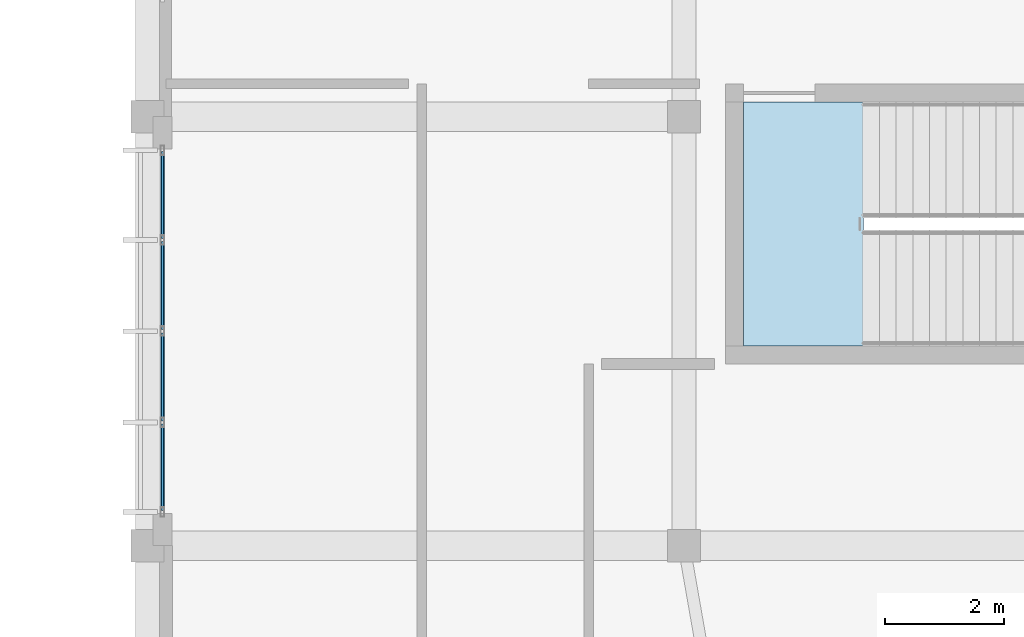
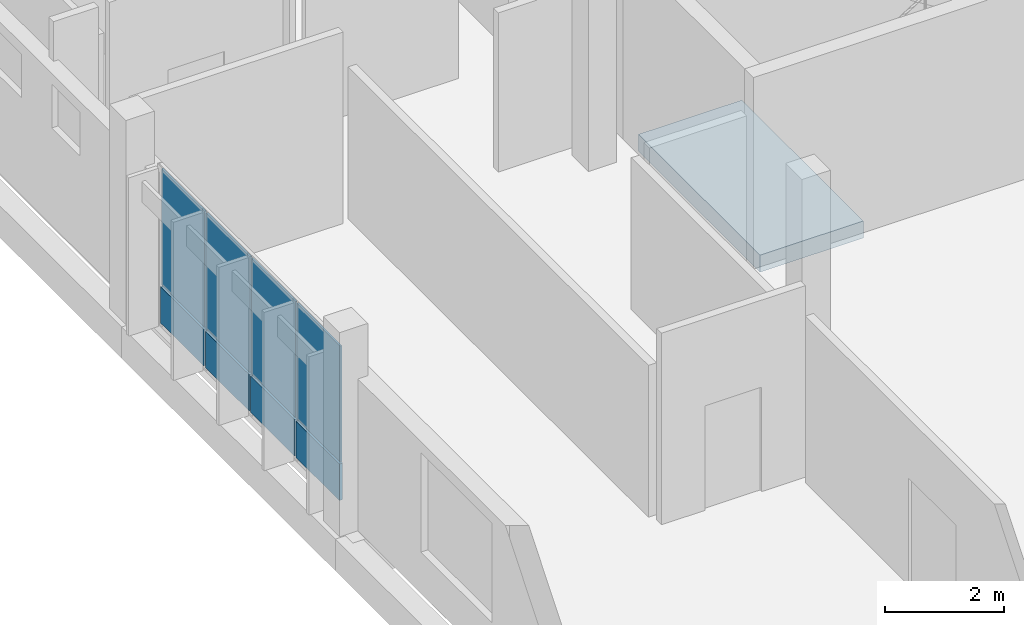
# One storey, part 73 of 94: 8 plates, 1 slab, 1 element without a shape of its own.
"""IFC4 building model written with IfcOpenShell, lengths in metres."""

from ifc_helpers import new_model, si_unit, direction, frame, origin, origin_2d, place, context, subcontext, project, spatial, polyline, rectangle, outline, extrude, material, layer, layer_set, type_object, element, aggregate, save


model = new_model("IFC4")

# Units and contexts
model_context = context("Model", 3, precision=1e-05, world=origin(), true_north=direction((0.0, 1.0)))
body_context = subcontext(model_context, "Body", "Model", "MODEL_VIEW")
ifc_project = project(units=[si_unit("LENGTHUNIT", "METRE"), si_unit("AREAUNIT", "SQUARE_METRE"), si_unit("VOLUMEUNIT", "CUBIC_METRE"), si_unit("PLANEANGLEUNIT", "RADIAN"), si_unit("MASSUNIT", "GRAM", prefix="KILO")], contexts=[model_context])

# Site, building, storey
site_placement = place(None, origin())
site = spatial("IfcSite", under=ifc_project, at=site_placement, CompositionType="ELEMENT")
building_placement = place(site_placement, origin())
building = spatial("IfcBuilding", under=site, at=building_placement, Name="Chiffa Square Polytechnic", CompositionType="ELEMENT")
storey_placement = place(building_placement, frame((0.0, 0.0, 18.0)))
storey = spatial("IfcBuildingStorey", under=building, at=storey_placement, Name="L04", CompositionType="ELEMENT", Elevation=18.0)

# Curtain wall, plates
ifc_material_1 = material(Name="Aluminium EN AW-6060 T66 and glulam shading", Category="wood")
curtain_wall_type = type_object("IfcCurtainWallType", Name="CW-VERT-450X380", PredefinedType="USERDEFINED", material=ifc_material_1)
curtain_wall_placement = place(storey_placement, origin())
curtain_wall = element("IfcCurtainWall", 1, at=curtain_wall_placement, inside=storey, type_object=curtain_wall_type, Name="Curtain wall CW-V1-L04-138", ObjectType="CURTAIN WALL", PredefinedType="USERDEFINED")
ifc_material_2 = material(Name="Double glazing", Category="glass")
ifc_layer_1 = layer(ifc_material_2, 0.035888671875, Name="Double glazing")
ifc_layer_set_1 = layer_set([ifc_layer_1], Name="Double glazing")
plate_type_1 = type_object("IfcPlateType", Name="CWP-GLZ-120X145", PredefinedType="CURTAIN_PANEL", material=ifc_layer_set_1)
plate_1_placement = place(storey_placement, frame((112.449951171875, 20.283935546875, 0.83935546875), z_axis=(0.0, 0.0, 1.0), x_axis=(0.0, -1.0, 0.0)))
plate_1 = element("IfcPlate", 2, at=plate_1_placement, type_object=plate_type_1, Name="Glazed curtain panel CW-V1-L04-138-PN01", PredefinedType="CURTAIN_PANEL", context=body_context, shape_type="SweptSolid", body=[
    extrude(rectangle(XDim=1.4560546875, YDim=0.035888671875, at=origin_2d()), origin(), (0.0, 0.0, 1.0), 2.385009765625),
])
plate_2_placement = place(storey_placement, frame((112.449951171875, 18.764892578125, 0.83935546875), z_axis=(0.0, 0.0, 1.0), x_axis=(0.0, -1.0, 0.0)))
plate_2 = element("IfcPlate", 3, at=plate_2_placement, type_object=plate_type_1, Name="Glazed curtain panel CW-V1-L04-138-PN02", PredefinedType="CURTAIN_PANEL", context=body_context, shape_type="SweptSolid", body=[
    extrude(rectangle(XDim=1.47802734375, YDim=0.035888671875, at=origin_2d()), origin(), (0.0, 0.0, 1.0), 2.385009765625),
])
plate_3_placement = place(storey_placement, frame((112.449951171875, 17.235107421875, 0.83935546875), z_axis=(0.0, 0.0, 1.0), x_axis=(0.0, -1.0, 0.0)))
plate_3 = element("IfcPlate", 4, at=plate_3_placement, type_object=plate_type_1, Name="Glazed curtain panel CW-V1-L04-138-PN03", PredefinedType="CURTAIN_PANEL", context=body_context, shape_type="SweptSolid", body=[
    extrude(rectangle(XDim=1.47802734375, YDim=0.035888671875, at=origin_2d()), origin(), (0.0, 0.0, 1.0), 2.385009765625),
])
plate_4_placement = place(storey_placement, frame((112.449951171875, 15.716064453125, 0.83935546875), z_axis=(0.0, 0.0, 1.0), x_axis=(0.0, -1.0, 0.0)))
plate_4 = element("IfcPlate", 5, at=plate_4_placement, type_object=plate_type_1, Name="Glazed curtain panel CW-V1-L04-138-PN04", PredefinedType="CURTAIN_PANEL", context=body_context, shape_type="SweptSolid", body=[
    extrude(rectangle(XDim=1.4560546875, YDim=0.035888671875, at=origin_2d()), origin(), (0.0, 0.0, 1.0), 2.385009765625),
])
ifc_material_3 = material(Name="Aluminium insulated spandrel", Category="aluminium")
ifc_layer_2 = layer(ifc_material_3, 0.06591796875, Name="Aluminium insulated spandrel")
ifc_layer_set_2 = layer_set([ifc_layer_2], Name="Aluminium insulated spandrel")
plate_type_2 = type_object("IfcPlateType", Name="CWP-SPN-144X078", PredefinedType="SHEET", material=ifc_layer_set_2)
plate_5_placement = place(storey_placement, frame((112.449951171875, 20.283935546875, 0.050048828125), z_axis=(0.0, 0.0, 1.0), x_axis=(0.0, -1.0, 0.0)))
plate_5 = element("IfcPlate", 6, at=plate_5_placement, type_object=plate_type_2, Name="Spandrel panel CW-V1-L04-138-SP01", PredefinedType="SHEET", context=body_context, shape_type="SweptSolid", body=[
    extrude(rectangle(XDim=1.4560546875, YDim=0.06591796875, at=origin_2d()), origin(), (0.0, 0.0, 1.0), 0.75),
])
plate_6_placement = place(storey_placement, frame((112.449951171875, 18.764892578125, 0.050048828125), z_axis=(0.0, 0.0, 1.0), x_axis=(0.0, -1.0, 0.0)))
plate_6 = element("IfcPlate", 7, at=plate_6_placement, type_object=plate_type_2, Name="Spandrel panel CW-V1-L04-138-SP02", PredefinedType="SHEET", context=body_context, shape_type="SweptSolid", body=[
    extrude(rectangle(XDim=1.47802734375, YDim=0.06591796875, at=origin_2d()), origin(), (0.0, 0.0, 1.0), 0.75),
])
plate_7_placement = place(storey_placement, frame((112.449951171875, 17.235107421875, 0.050048828125), z_axis=(0.0, 0.0, 1.0), x_axis=(0.0, -1.0, 0.0)))
plate_7 = element("IfcPlate", 8, at=plate_7_placement, type_object=plate_type_2, Name="Spandrel panel CW-V1-L04-138-SP03", PredefinedType="SHEET", context=body_context, shape_type="SweptSolid", body=[
    extrude(rectangle(XDim=1.47802734375, YDim=0.06591796875, at=origin_2d()), origin(), (0.0, 0.0, 1.0), 0.75),
])
plate_8_placement = place(storey_placement, frame((112.449951171875, 15.716064453125, 0.050048828125), z_axis=(0.0, 0.0, 1.0), x_axis=(0.0, -1.0, 0.0)))
plate_8 = element("IfcPlate", 9, at=plate_8_placement, type_object=plate_type_2, Name="Spandrel panel CW-V1-L04-138-SP04", PredefinedType="SHEET", context=body_context, shape_type="SweptSolid", body=[
    extrude(rectangle(XDim=1.4560546875, YDim=0.06591796875, at=origin_2d()), origin(), (0.0, 0.0, 1.0), 0.75),
])
aggregate(curtain_wall, [plate_5, plate_1, plate_6, plate_2, plate_7, plate_3, plate_8, plate_4])

# Slab
ifc_material_4 = material(Name="Concrete C40/50", Category="concrete")
ifc_layer_3 = layer(ifc_material_4, 0.35009765625, Name="Concrete C40/50")
ifc_layer_set_3 = layer_set([ifc_layer_3], Name="Concrete C40/50")
slab_type = type_object("IfcSlabType", Name="SLB-FLR-350", PredefinedType="FLOOR", material=ifc_layer_set_3)
slab_placement = place(storey_placement, frame((0.0, 0.0, -0.35009765625)))
element("IfcSlab", 10, at=slab_placement, inside=storey, type_object=slab_type, Name="Stair core floor landing slab SLB-CORE-CORE-V1A-L04", PredefinedType="FLOOR", context=body_context, shape_type="SweptSolid", body=[
    extrude(outline(polyline([(122.199951171875, 17.75), (124.2119140625, 17.75), (124.2119140625, 21.85009765625), (122.199951171875, 21.85009765625), (122.199951171875, 17.75)])), origin(), (0.0, 0.0, 1.0), 0.35009765625),
])

save(model, "model.ifc")
